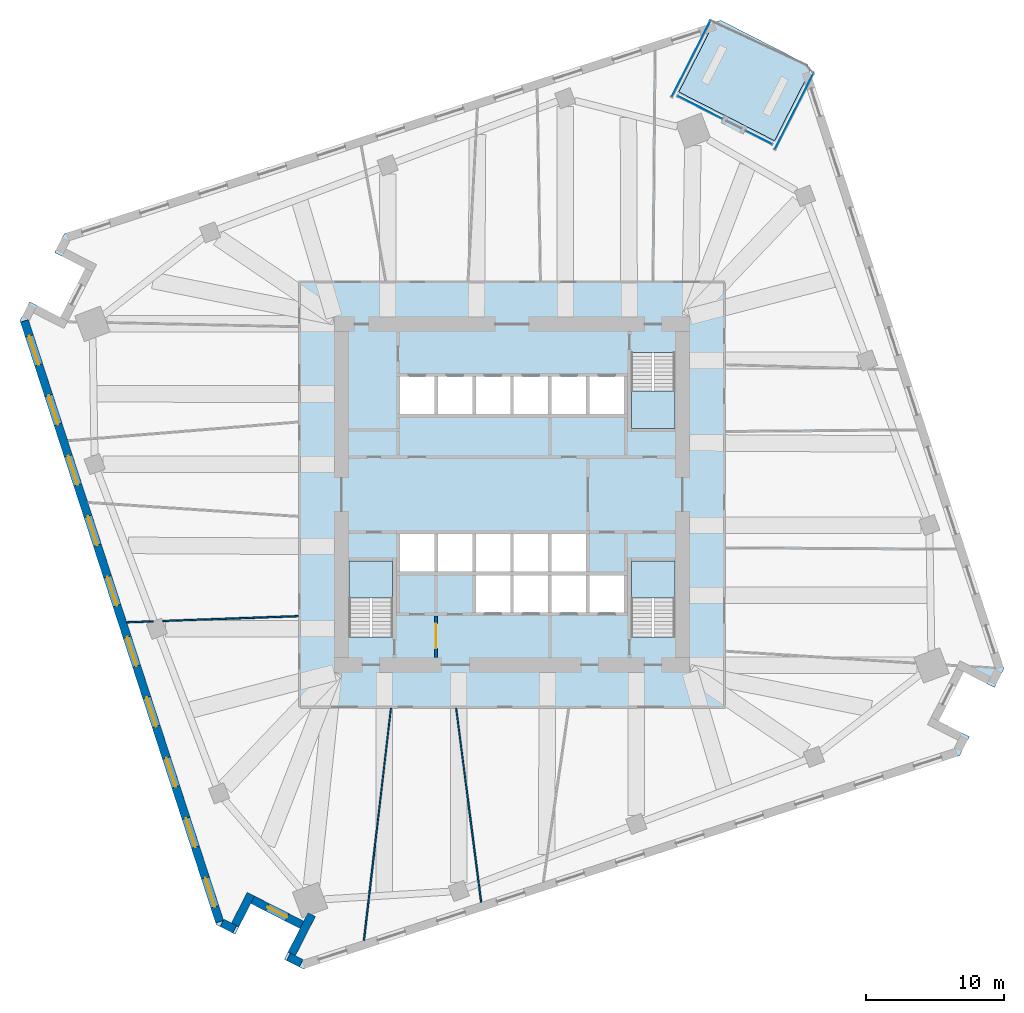
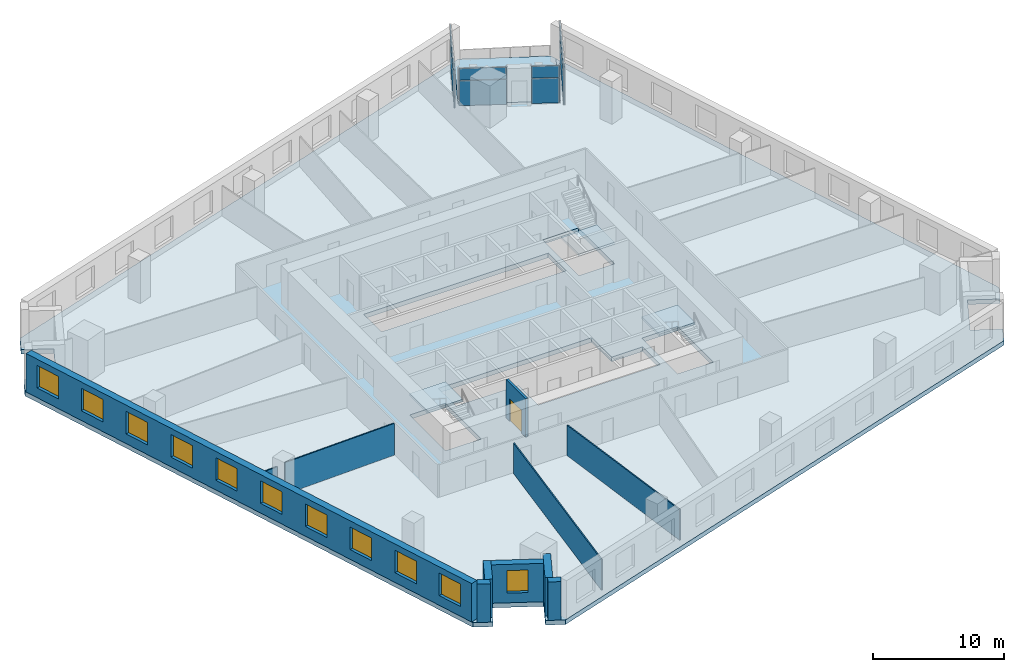
# One storey, part 5 of 12: 11 walls, 11 windows, 8 plates, 5 slabs, 1 door, 12 openings, 7 elements without a shape of their own.
"""IFC4 building model written with IfcOpenShell, lengths in metres."""

from ifc_helpers import new_model, si_unit, direction, frame, frame_2d, origin, origin_2d, place, context, subcontext, project, spatial, polyline, rectangle, outline, extrude, material, layer, layer_set, type_object, element, fill, aggregate, save


model = new_model("IFC4")

# Units and contexts
model_context = context("Model", 3, precision=1e-05, world=origin(), true_north=direction((0.0, 1.0)))
body_context = subcontext(model_context, "Body", "Model", "MODEL_VIEW")
ifc_project = project(units=[si_unit("LENGTHUNIT", "METRE"), si_unit("AREAUNIT", "SQUARE_METRE"), si_unit("VOLUMEUNIT", "CUBIC_METRE"), si_unit("PLANEANGLEUNIT", "RADIAN"), si_unit("MASSUNIT", "GRAM", prefix="KILO")], contexts=[model_context])

# Site, building, storey
site_placement = place(None, origin())
site = spatial("IfcSite", under=ifc_project, at=site_placement, CompositionType="ELEMENT")
building_placement = place(site_placement, origin())
building = spatial("IfcBuilding", under=site, at=building_placement, Name="Dilmun Exchange Tower", CompositionType="ELEMENT")
storey_placement = place(building_placement, frame((0.0, 0.0, 94.10009765625)))
storey = spatial("IfcBuildingStorey", under=building, at=storey_placement, Name="L21", CompositionType="ELEMENT", Elevation=94.10009765625)

# Stair, slab
ifc_material_1 = material(Name="Concrete C40/50", Category="concrete")
stair_type = type_object("IfcStairType", Name="Exit stair 1500 half-turn", PredefinedType="HALF_TURN_STAIR", material=ifc_material_1)
stair_1_placement = place(storey_placement, origin())
stair_1 = element("IfcStair", 1, at=stair_1_placement, inside=storey, type_object=stair_type, Name="L21 Protected exit stair ST1", PredefinedType="HALF_TURN_STAIR")
ifc_layer_1 = layer(ifc_material_1, 0.199951171875)
ifc_layer_set_1 = layer_set([ifc_layer_1], Name="Concrete C40/50")
slab_type_1 = type_object("IfcSlabType", Name="Exit stair landing 200", PredefinedType="LANDING", material=ifc_layer_set_1)
slab_1_placement = place(storey_placement, frame((0.0, 0.0, 1.7998046875)))
slab_1 = element("IfcSlab", 2, at=slab_1_placement, type_object=slab_type_1, Name="ST1 landing 1", PredefinedType="LANDING", context=body_context, shape_type="SweptSolid", body=[
    extrude(outline(polyline([(8.64990234375, 7.5), (8.64990234375, 4.800048828125), (11.800048828125, 4.800048828125), (11.800048828125, 7.5), (8.64990234375, 7.5)])), origin(), (0.0, 0.0, 1.0), 0.2001953125),
])
aggregate(stair_1, [slab_1])

stair_2_placement = place(storey_placement, origin())
stair_2 = element("IfcStair", 3, at=stair_2_placement, inside=storey, type_object=stair_type, Name="L21 Protected exit stair ST2", PredefinedType="HALF_TURN_STAIR")
slab_2_placement = place(storey_placement, frame((0.0, 0.0, 1.7998046875)))
slab_2 = element("IfcSlab", 4, at=slab_2_placement, type_object=slab_type_1, Name="ST2 landing 1", PredefinedType="LANDING", context=body_context, shape_type="SweptSolid", body=[
    extrude(outline(polyline([(-8.64990234375, -7.5), (-8.64990234375, -4.800048828125), (-11.800048828125, -4.800048828125), (-11.800048828125, -7.5), (-8.64990234375, -7.5)])), origin(), (0.0, 0.0, 1.0), 0.2001953125),
])
aggregate(stair_2, [slab_2])

stair_3_placement = place(storey_placement, origin())
stair_3 = element("IfcStair", 5, at=stair_3_placement, inside=storey, type_object=stair_type, Name="L21 Protected exit stair ST3", PredefinedType="HALF_TURN_STAIR")
slab_3_placement = place(storey_placement, frame((0.0, 0.0, 1.7998046875)))
slab_3 = element("IfcSlab", 6, at=slab_3_placement, type_object=slab_type_1, Name="ST3 landing 1", PredefinedType="LANDING", context=body_context, shape_type="SweptSolid", body=[
    extrude(outline(polyline([(11.800048828125, -7.5), (11.800048828125, -4.800048828125), (8.64990234375, -4.800048828125), (8.64990234375, -7.5), (11.800048828125, -7.5)])), origin(), (0.0, 0.0, 1.0), 0.2001953125),
])
aggregate(stair_3, [slab_3])

# Curtain wall, plates
ifc_material_2 = material(Name="Anodised aluminium and clear glass", Category="aluminium")
curtain_wall_type = type_object("IfcCurtainWallType", Name="Garden corner glazing", PredefinedType="NOTDEFINED", material=ifc_material_2)
curtain_wall_1_placement = place(storey_placement, origin())
curtain_wall_1 = element("IfcCurtainWall", 7, at=curtain_wall_1_placement, inside=storey, type_object=curtain_wall_type, Name="Garden corner glazing run GC1.1", PredefinedType="NOTDEFINED")
ifc_material_3 = material(Name="Clear glass", Category="glass")
ifc_layer_2 = layer(ifc_material_3, 0.028076171875)
ifc_layer_set_2 = layer_set([ifc_layer_2], Name="Clear glass")
plate_type = type_object("IfcPlateType", Name="Garden corner glazing glass panel 28", PredefinedType="CURTAIN_PANEL", material=ifc_layer_set_2)
plate_1_placement = place(storey_placement, frame((20.42822265625, 27.750244140625, 0.059814453125), z_axis=(0.0, 0.0, 1.0), x_axis=(-0.453988613418, -0.891007485315, 0.0)))
plate_1 = element("IfcPlate", 8, at=plate_1_placement, type_object=plate_type, Name="GC1.1 panel 1.1", PredefinedType="CURTAIN_PANEL", context=body_context, shape_type="SweptSolid", body=[
    extrude(rectangle(XDim=6.12646484375, YDim=0.028076171875, at=origin_2d()), origin(), (0.0, 0.0, 1.0), 2.31005859375),
])
plate_2_placement = place(storey_placement, frame((20.42822265625, 27.750244140625, 2.4296875), z_axis=(0.0, 0.0, 1.0), x_axis=(-0.453988613418, -0.891007485315, 0.0)))
plate_2 = element("IfcPlate", 9, at=plate_2_placement, type_object=plate_type, Name="GC1.1 panel 1.2", PredefinedType="CURTAIN_PANEL", context=body_context, shape_type="SweptSolid", body=[
    extrude(rectangle(XDim=6.12646484375, YDim=0.028076171875, at=origin_2d()), origin(), (0.0, 0.0, 1.0), 1.090087890625),
])
aggregate(curtain_wall_1, [plate_1, plate_2])

curtain_wall_2_placement = place(storey_placement, origin())
curtain_wall_2 = element("IfcCurtainWall", 10, at=curtain_wall_2_placement, inside=storey, type_object=curtain_wall_type, Name="Garden corner glazing run GC2.1", PredefinedType="NOTDEFINED")
plate_3_placement = place(storey_placement, frame((17.881591796875, 25.879150390625, 0.059814453125), z_axis=(0.0, 0.0, 1.0), x_axis=(-0.891016319837, 0.453971274184, 0.0)))
plate_3 = element("IfcPlate", 11, at=plate_3_placement, type_object=plate_type, Name="GC2.1 panel 1.1", PredefinedType="CURTAIN_PANEL", context=body_context, shape_type="SweptSolid", body=[
    extrude(rectangle(XDim=2.119140625, YDim=0.028076171875, at=origin_2d()), origin(), (0.0, 0.0, 1.0), 2.31005859375),
])
plate_4_placement = place(storey_placement, frame((17.881591796875, 25.879150390625, 2.4296875), z_axis=(0.0, 0.0, 1.0), x_axis=(-0.891016319837, 0.453971274184, 0.0)))
plate_4 = element("IfcPlate", 12, at=plate_4_placement, type_object=plate_type, Name="GC2.1 panel 1.2", PredefinedType="CURTAIN_PANEL", context=body_context, shape_type="SweptSolid", body=[
    extrude(rectangle(XDim=2.119140625, YDim=0.028076171875, at=origin_2d()), origin(), (0.0, 0.0, 1.0), 1.090087890625),
])
aggregate(curtain_wall_2, [plate_3, plate_4])

curtain_wall_3_placement = place(storey_placement, origin())
curtain_wall_3 = element("IfcCurtainWall", 13, at=curtain_wall_3_placement, inside=storey, type_object=curtain_wall_type, Name="Garden corner glazing run GC2.3", PredefinedType="NOTDEFINED")
plate_5_placement = place(storey_placement, frame((13.614501953125, 28.053466796875, 0.059814453125), z_axis=(0.0, 0.0, 1.0), x_axis=(-0.891004797005, 0.453993889512, 0.0)))
plate_5 = element("IfcPlate", 14, at=plate_5_placement, type_object=plate_type, Name="GC2.3 panel 1.1", PredefinedType="CURTAIN_PANEL", context=body_context, shape_type="SweptSolid", body=[
    extrude(rectangle(XDim=3.619140625, YDim=0.028076171875, at=origin_2d()), origin(), (0.0, 0.0, 1.0), 2.31005859375),
])
plate_6_placement = place(storey_placement, frame((13.614501953125, 28.053466796875, 2.4296875), z_axis=(0.0, 0.0, 1.0), x_axis=(-0.891004797005, 0.453993889512, 0.0)))
plate_6 = element("IfcPlate", 15, at=plate_6_placement, type_object=plate_type, Name="GC2.3 panel 1.2", PredefinedType="CURTAIN_PANEL", context=body_context, shape_type="SweptSolid", body=[
    extrude(rectangle(XDim=3.619140625, YDim=0.028076171875, at=origin_2d()), origin(), (0.0, 0.0, 1.0), 1.090087890625),
])
aggregate(curtain_wall_3, [plate_5, plate_6])

curtain_wall_4_placement = place(storey_placement, origin())
curtain_wall_4 = element("IfcCurtainWall", 16, at=curtain_wall_4_placement, inside=storey, type_object=curtain_wall_type, Name="Garden corner glazing run GC3.1", PredefinedType="NOTDEFINED")
plate_7_placement = place(storey_placement, frame((12.963134765625, 31.553955078125, 0.059814453125), z_axis=(0.0, 0.0, 1.0), x_axis=(0.453988613418, 0.891007485315, 0.0)))
plate_7 = element("IfcPlate", 17, at=plate_7_placement, type_object=plate_type, Name="GC3.1 panel 1.1", PredefinedType="CURTAIN_PANEL", context=body_context, shape_type="SweptSolid", body=[
    extrude(rectangle(XDim=6.12646484375, YDim=0.028076171875, at=origin_2d()), origin(), (0.0, 0.0, 1.0), 2.31005859375),
])
plate_8_placement = place(storey_placement, frame((12.963134765625, 31.553955078125, 2.4296875), z_axis=(0.0, 0.0, 1.0), x_axis=(0.453988613418, 0.891007485315, 0.0)))
plate_8 = element("IfcPlate", 18, at=plate_8_placement, type_object=plate_type, Name="GC3.1 panel 1.2", PredefinedType="CURTAIN_PANEL", context=body_context, shape_type="SweptSolid", body=[
    extrude(rectangle(XDim=6.12646484375, YDim=0.028076171875, at=origin_2d()), origin(), (0.0, 0.0, 1.0), 1.090087890625),
])
aggregate(curtain_wall_4, [plate_7, plate_8])

# Slabs
ifc_layer_3 = layer(ifc_material_1, 0.419921875)
ifc_layer_set_3 = layer_set([ifc_layer_3], Name="Concrete C40/50")
slab_type_2 = type_object("IfcSlabType", Name="RC floor slab 420", PredefinedType="FLOOR", material=ifc_layer_set_3)
slab_4_placement = place(storey_placement, frame((0.0, 0.0, -0.420166015625)))
element("IfcSlab", 19, at=slab_4_placement, inside=storey, type_object=slab_type_2, Name="Floor slab", PredefinedType="FLOOR", context=body_context, shape_type="SweptSolid", body=[
    extrude(outline(polyline([(34.94189453125, -13.971923828125), (32.714599609375, -12.8369140625), (30.8984375, -16.40087890625), (33.1259765625, -17.535888671875), (32.428955078125, -18.904296875), (-15.123779296875, -34.35498046875), (-16.4921875, -33.657958984375), (-15.357177734375, -31.430419921875), (-18.921142578125, -29.614501953125), (-20.05615234375, -31.841796875), (-21.42431640625, -31.144775390625), (-35.63916015625, 12.603759765625), (-34.94189453125, 13.971923828125), (-32.714599609375, 12.8369140625), (-30.8984375, 16.40087890625), (-33.1259765625, 17.535888671875), (-32.428955078125, 18.904296875), (14.6484375, 34.200439453125), (12.0849609375, 29.16943359375), (19.015380859375, 25.63818359375), (21.578857421875, 30.669189453125), (35.63916015625, -12.603759765625), (34.94189453125, -13.971923828125)]), holes=[polyline([(-8.64990234375, -4.800048828125), (-11.800048828125, -4.800048828125), (-11.800048828125, -10.294921875), (-8.64990234375, -10.294921875), (-8.64990234375, -4.800048828125)]), polyline([(11.800048828125, -4.800048828125), (8.64990234375, -4.800048828125), (8.64990234375, -10.294921875), (11.800048828125, -10.294921875), (11.800048828125, -4.800048828125)]), polyline([(-8.125, -2.85009765625), (-8.125, -5.550048828125), (-2.625, -5.550048828125), (-2.625, -8.550048828125), (8.125, -8.550048828125), (8.125, -5.85009765625), (5.375, -5.85009765625), (5.375, -2.85009765625), (-8.125, -2.85009765625)]), polyline([(-8.125, 5.85009765625), (8.125, 5.85009765625), (8.125, 8.550048828125), (-8.125, 8.550048828125), (-8.125, 5.85009765625)]), polyline([(8.64990234375, 10.294921875), (8.64990234375, 4.800048828125), (11.800048828125, 4.800048828125), (11.800048828125, 10.294921875), (8.64990234375, 10.294921875)])]), origin(), (0.0, 0.0, 1.0), 0.420166015625),
])
ifc_layer_4 = layer(ifc_material_1, 0.300048828125)
ifc_layer_set_4 = layer_set([ifc_layer_4], Name="Concrete C40/50")
slab_type_3 = type_object("IfcSlabType", Name="RC garden terrace slab 300", PredefinedType="FLOOR", material=ifc_layer_set_4)
slab_5_placement = place(storey_placement, frame((0.0, 0.0, -0.300048828125)))
element("IfcSlab", 20, at=slab_5_placement, inside=storey, type_object=slab_type_3, Name="Garden terrace slab", PredefinedType="FLOOR", context=body_context, shape_type="SweptSolid", body=[
    extrude(outline(polyline([(12.0849609375, 29.16943359375), (14.6484375, 34.200439453125), (15.123779296875, 34.35498046875), (21.42431640625, 31.144775390625), (21.578857421875, 30.669189453125), (19.015380859375, 25.63818359375), (12.0849609375, 29.16943359375)])), origin(), (0.0, 0.0, 1.0), 0.300048828125),
])

# Wall, opening, door
ifc_layer_5 = layer(ifc_material_1, 0.199951171875)
ifc_layer_set_5 = layer_set([ifc_layer_5], Name="Concrete C40/50")
wall_type_1 = type_object("IfcWallType", Name="Core partition wall 200", PredefinedType="PARTITIONING", material=ifc_layer_set_5)
wall_1_placement = place(storey_placement, frame((-5.5, -11.794921875, 0.0), z_axis=(0.0, 0.0, 1.0), x_axis=(0.0, 1.0, 0.0)))
wall_1 = element("IfcWall", 21, at=wall_1_placement, inside=storey, type_object=wall_type_1, Name="L21 core partition wall 01", PredefinedType="PARTITIONING", context=body_context, shape_type="SweptSolid", body=[
    extrude(rectangle(XDim=2.989990234375, YDim=0.199951171875, at=frame_2d((1.4951171875, 0.0))), origin(), (0.0, 0.0, 1.0), 3.579833984375),
])
opening_1_placement = place(wall_1_placement, frame((0.657470703125, 0.0, 0.0)))
opening_1 = element("IfcOpeningElement", 22, at=opening_1_placement, cuts=wall_1, Name="Opening CD5", PredefinedType="OPENING", context=body_context, shape_type="SweptSolid", body=[
    extrude(rectangle(XDim=1.800048828125, YDim=2.10009765625, at=frame_2d((0.89990234375, 1.050048828125))), frame((0.0, 0.10986328125, 0.0), z_axis=(0.0, -1.0, 0.0), x_axis=(1.0, 0.0, 0.0)), (0.0, 0.0, 1.0), 0.219970703125),
])
ifc_material_4 = material(Name="Fire-rated steel door set", Category="steel")
door_type = type_object("IfcDoorType", Name="Stair exit door 1800x2100", OperationType="SINGLE_SWING_LEFT", PredefinedType="DOOR", material=ifc_material_4)
door_placement = place(opening_1_placement, origin())
door = element("IfcDoor", 23, at=door_placement, inside=storey, type_object=door_type, Name="L21 door Service lobby east", OperationType="SINGLE_SWING_LEFT", OverallHeight=2.10009765625, OverallWidth=1.800048828125, PredefinedType="DOOR", context=body_context, shape_type="SweptSolid", body=[
    extrude(rectangle(XDim=1.800048828125, YDim=2.10009765625, at=frame_2d((0.89990234375, 1.050048828125))), frame((0.0, 0.02490234375, 0.0), z_axis=(0.0, -1.0, 0.0), x_axis=(1.0, 0.0, 0.0)), (0.0, 0.0, 1.0), 0.050048828125),
])
fill(opening_1, door)

# Walls
ifc_material_5 = material(Name="Partition 100")
ifc_layer_6 = layer(ifc_material_5, 0.10009765625)
ifc_layer_set_6 = layer_set([ifc_layer_6], Name="Partition 100")
wall_type_2 = type_object("IfcWallType", Name="Partition 100", PredefinedType="PARTITIONING", material=ifc_layer_set_6)
wall_2_placement = place(storey_placement, frame((-27.906005859375, -9.248291015625, 0.0), z_axis=(0.0, 0.0, 1.0), x_axis=(0.999356144168, 0.035878922986, 0.0)))
element("IfcWall", 24, at=wall_2_placement, inside=storey, type_object=wall_type_2, Name="Partition", PredefinedType="PARTITIONING", context=body_context, shape_type="SweptSolid", body=[
    extrude(rectangle(XDim=1.9052734375, YDim=0.10009765625, at=frame_2d((0.95263671875, 0.0))), origin(), (0.0, 0.0, 1.0), 2.829833984375),
])
wall_3_placement = place(storey_placement, frame((-25.297119140625, -9.154541015625, 0.0), z_axis=(0.0, 0.0, 1.0), x_axis=(0.999351792824, 0.035999919148, 0.0)))
element("IfcWall", 25, at=wall_3_placement, inside=storey, type_object=wall_type_2, Name="Partition", PredefinedType="PARTITIONING", context=body_context, shape_type="SweptSolid", body=[
    extrude(rectangle(XDim=9.82666015625, YDim=0.10009765625, at=frame_2d((4.913330078125, 0.0))), origin(), (0.0, 0.0, 1.0), 2.9599609375),
])
wall_4_placement = place(storey_placement, frame((-10.7255859375, -32.29296875, 0.0), z_axis=(0.0, 0.0, 1.0), x_axis=(0.115510456464, 0.993306264174, 0.0)))
element("IfcWall", 26, at=wall_4_placement, inside=storey, type_object=wall_type_2, Name="Partition", PredefinedType="PARTITIONING", context=body_context, shape_type="SweptSolid", body=[
    extrude(rectangle(XDim=16.925537109375, YDim=0.10009765625, at=frame_2d((8.462890625, 0.0))), origin(), (0.0, 0.0, 1.0), 2.829833984375),
])
wall_5_placement = place(storey_placement, frame((-4.04443359375, -15.4814453125, 0.0), z_axis=(0.0, 0.0, 1.0), x_axis=(0.12789369757, -0.991787881617, 0.0)))
element("IfcWall", 27, at=wall_5_placement, inside=storey, type_object=wall_type_2, Name="Partition", PredefinedType="PARTITIONING", context=body_context, shape_type="SweptSolid", body=[
    extrude(rectangle(XDim=14.168212890625, YDim=0.10009765625, at=frame_2d((7.083984375, 0.0))), origin(), (0.0, 0.0, 1.0), 2.829833984375),
])

# Wall, openings, windows
ifc_material_6 = material(Name="Precast concrete C50/60", Category="concrete")
ifc_layer_7 = layer(ifc_material_6, 0.60009765625)
ifc_layer_set_7 = layer_set([ifc_layer_7], Name="Precast concrete C50/60")
wall_type_3 = type_object("IfcWallType", Name="Precast stone-clad wall 600", PredefinedType="STANDARD", material=ifc_layer_set_7)
wall_6_placement = place(storey_placement, frame((-35.3154296875, 12.578369140625, 0.0), z_axis=(0.0, 0.0, 1.0), x_axis=(0.309016329352, -0.951056732374, 0.0)))
wall_6 = element("IfcWall", 28, at=wall_6_placement, inside=storey, type_object=wall_type_3, Name="Facade wall L21-09", PredefinedType="STANDARD", context=body_context, shape_type="SweptSolid", body=[
    extrude(rectangle(XDim=45.75146484375, YDim=0.60009765625, at=frame_2d((22.875732421875, 0.0))), origin(), (0.0, 0.0, 1.0), 3.579833984375),
])
opening_2_placement = place(wall_6_placement, frame((1.137939453125, 0.0, 0.89990234375)))
opening_2 = element("IfcOpeningElement", 29, at=opening_2_placement, cuts=wall_6, Name="Opening W220-210", PredefinedType="OPENING", context=body_context, shape_type="SweptSolid", body=[
    extrude(rectangle(XDim=2.199951171875, YDim=2.10009765625, at=frame_2d((1.10009765625, 1.050048828125))), frame((0.0, 0.31005859375, 0.0), z_axis=(0.0, -1.0, 0.0), x_axis=(1.0, 0.0, 0.0)), (0.0, 0.0, 1.0), 0.6201171875),
])
opening_3_placement = place(wall_6_placement, frame((5.67578125, 0.0, 0.89990234375)))
opening_3 = element("IfcOpeningElement", 30, at=opening_3_placement, cuts=wall_6, Name="Opening W220-210", PredefinedType="OPENING", context=body_context, shape_type="SweptSolid", body=[
    extrude(rectangle(XDim=2.199951171875, YDim=2.10009765625, at=frame_2d((1.10009765625, 1.050048828125))), frame((0.0, 0.31005859375, 0.0), z_axis=(0.0, -1.0, 0.0), x_axis=(1.0, 0.0, 0.0)), (0.0, 0.0, 1.0), 0.6201171875),
])
opening_4_placement = place(wall_6_placement, frame((10.275634765625, 0.0, 0.89990234375)))
opening_4 = element("IfcOpeningElement", 31, at=opening_4_placement, cuts=wall_6, Name="Opening W220-210", PredefinedType="OPENING", context=body_context, shape_type="SweptSolid", body=[
    extrude(rectangle(XDim=2.199951171875, YDim=2.10009765625, at=frame_2d((1.10009765625, 1.050048828125))), frame((0.0, 0.31005859375, 0.0), z_axis=(0.0, -1.0, 0.0), x_axis=(1.0, 0.0, 0.0)), (0.0, 0.0, 1.0), 0.6201171875),
])
opening_5_placement = place(wall_6_placement, frame((14.875732421875, 0.0, 0.89990234375)))
opening_5 = element("IfcOpeningElement", 32, at=opening_5_placement, cuts=wall_6, Name="Opening W220-210", PredefinedType="OPENING", context=body_context, shape_type="SweptSolid", body=[
    extrude(rectangle(XDim=2.199951171875, YDim=2.10009765625, at=frame_2d((1.10009765625, 1.050048828125))), frame((0.0, 0.31005859375, 0.0), z_axis=(0.0, -1.0, 0.0), x_axis=(1.0, 0.0, 0.0)), (0.0, 0.0, 1.0), 0.6201171875),
])
opening_6_placement = place(wall_6_placement, frame((19.4755859375, 0.0, 0.89990234375)))
opening_6 = element("IfcOpeningElement", 33, at=opening_6_placement, cuts=wall_6, Name="Opening W220-210", PredefinedType="OPENING", context=body_context, shape_type="SweptSolid", body=[
    extrude(rectangle(XDim=2.199951171875, YDim=2.10009765625, at=frame_2d((1.10009765625, 1.050048828125))), frame((0.0, 0.31005859375, 0.0), z_axis=(0.0, -1.0, 0.0), x_axis=(1.0, 0.0, 0.0)), (0.0, 0.0, 1.0), 0.6201171875),
])
opening_7_placement = place(wall_6_placement, frame((24.07568359375, 0.0, 0.89990234375)))
opening_7 = element("IfcOpeningElement", 34, at=opening_7_placement, cuts=wall_6, Name="Opening W220-210", PredefinedType="OPENING", context=body_context, shape_type="SweptSolid", body=[
    extrude(rectangle(XDim=2.199951171875, YDim=2.10009765625, at=frame_2d((1.10009765625, 1.050048828125))), frame((0.0, 0.31005859375, 0.0), z_axis=(0.0, -1.0, 0.0), x_axis=(1.0, 0.0, 0.0)), (0.0, 0.0, 1.0), 0.6201171875),
])
opening_8_placement = place(wall_6_placement, frame((28.67578125, 0.0, 0.89990234375)))
opening_8 = element("IfcOpeningElement", 35, at=opening_8_placement, cuts=wall_6, Name="Opening W220-210", PredefinedType="OPENING", context=body_context, shape_type="SweptSolid", body=[
    extrude(rectangle(XDim=2.199951171875, YDim=2.10009765625, at=frame_2d((1.10009765625, 1.050048828125))), frame((0.0, 0.31005859375, 0.0), z_axis=(0.0, -1.0, 0.0), x_axis=(1.0, 0.0, 0.0)), (0.0, 0.0, 1.0), 0.6201171875),
])
opening_9_placement = place(wall_6_placement, frame((33.275634765625, 0.0, 0.89990234375)))
opening_9 = element("IfcOpeningElement", 36, at=opening_9_placement, cuts=wall_6, Name="Opening W220-210", PredefinedType="OPENING", context=body_context, shape_type="SweptSolid", body=[
    extrude(rectangle(XDim=2.199951171875, YDim=2.10009765625, at=frame_2d((1.10009765625, 1.050048828125))), frame((0.0, 0.31005859375, 0.0), z_axis=(0.0, -1.0, 0.0), x_axis=(1.0, 0.0, 0.0)), (0.0, 0.0, 1.0), 0.6201171875),
])
opening_10_placement = place(wall_6_placement, frame((37.875732421875, 0.0, 0.89990234375)))
opening_10 = element("IfcOpeningElement", 37, at=opening_10_placement, cuts=wall_6, Name="Opening W220-210", PredefinedType="OPENING", context=body_context, shape_type="SweptSolid", body=[
    extrude(rectangle(XDim=2.199951171875, YDim=2.10009765625, at=frame_2d((1.10009765625, 1.050048828125))), frame((0.0, 0.31005859375, 0.0), z_axis=(0.0, -1.0, 0.0), x_axis=(1.0, 0.0, 0.0)), (0.0, 0.0, 1.0), 0.6201171875),
])
opening_11_placement = place(wall_6_placement, frame((42.41357421875, 0.0, 0.89990234375)))
opening_11 = element("IfcOpeningElement", 38, at=opening_11_placement, cuts=wall_6, Name="Opening W220-210", PredefinedType="OPENING", context=body_context, shape_type="SweptSolid", body=[
    extrude(rectangle(XDim=2.199951171875, YDim=2.10009765625, at=frame_2d((1.10009765625, 1.050048828125))), frame((0.0, 0.31005859375, 0.0), z_axis=(0.0, -1.0, 0.0), x_axis=(1.0, 0.0, 0.0)), (0.0, 0.0, 1.0), 0.6201171875),
])
ifc_material_7 = material(Name="Clear low-emissivity glass in aluminium frame", Category="aluminium")
window_type_1 = type_object("IfcWindowType", Name="Punched window 2200 x 2100", PartitioningType="DOUBLE_PANEL_VERTICAL", PredefinedType="WINDOW", material=ifc_material_7)
window_1_placement = place(opening_2_placement, origin())
window_1 = element("IfcWindow", 39, at=window_1_placement, inside=storey, type_object=window_type_1, Name="Window 10.1", OverallHeight=2.10009765625, OverallWidth=2.199951171875, PartitioningType="SINGLE_PANEL", PredefinedType="WINDOW", context=body_context, shape_type="SweptSolid", body=[
    extrude(rectangle(XDim=2.199951171875, YDim=2.10009765625, at=frame_2d((1.10009765625, 1.050048828125))), frame((0.0, 0.030029296875, 0.0), z_axis=(0.0, -1.0, 0.0), x_axis=(1.0, 0.0, 0.0)), (0.0, 0.0, 1.0), 0.06005859375),
])
fill(opening_2, window_1)
window_2_placement = place(opening_3_placement, origin())
window_2 = element("IfcWindow", 40, at=window_2_placement, inside=storey, type_object=window_type_1, Name="Window 10.2", OverallHeight=2.10009765625, OverallWidth=2.199951171875, PartitioningType="SINGLE_PANEL", PredefinedType="WINDOW", context=body_context, shape_type="SweptSolid", body=[
    extrude(rectangle(XDim=2.199951171875, YDim=2.10009765625, at=frame_2d((1.10009765625, 1.050048828125))), frame((0.0, 0.030029296875, 0.0), z_axis=(0.0, -1.0, 0.0), x_axis=(1.0, 0.0, 0.0)), (0.0, 0.0, 1.0), 0.06005859375),
])
fill(opening_3, window_2)
window_3_placement = place(opening_4_placement, origin())
window_3 = element("IfcWindow", 41, at=window_3_placement, inside=storey, type_object=window_type_1, Name="Window 10.3", OverallHeight=2.10009765625, OverallWidth=2.199951171875, PartitioningType="SINGLE_PANEL", PredefinedType="WINDOW", context=body_context, shape_type="SweptSolid", body=[
    extrude(rectangle(XDim=2.199951171875, YDim=2.10009765625, at=frame_2d((1.10009765625, 1.050048828125))), frame((0.0, 0.030029296875, 0.0), z_axis=(0.0, -1.0, 0.0), x_axis=(1.0, 0.0, 0.0)), (0.0, 0.0, 1.0), 0.06005859375),
])
fill(opening_4, window_3)
window_4_placement = place(opening_5_placement, origin())
window_4 = element("IfcWindow", 42, at=window_4_placement, inside=storey, type_object=window_type_1, Name="Window 10.4", OverallHeight=2.10009765625, OverallWidth=2.199951171875, PartitioningType="SINGLE_PANEL", PredefinedType="WINDOW", context=body_context, shape_type="SweptSolid", body=[
    extrude(rectangle(XDim=2.199951171875, YDim=2.10009765625, at=frame_2d((1.10009765625, 1.050048828125))), frame((0.0, 0.030029296875, 0.0), z_axis=(0.0, -1.0, 0.0), x_axis=(1.0, 0.0, 0.0)), (0.0, 0.0, 1.0), 0.06005859375),
])
fill(opening_5, window_4)
window_5_placement = place(opening_6_placement, origin())
window_5 = element("IfcWindow", 43, at=window_5_placement, inside=storey, type_object=window_type_1, Name="Window 10.5", OverallHeight=2.10009765625, OverallWidth=2.199951171875, PartitioningType="SINGLE_PANEL", PredefinedType="WINDOW", context=body_context, shape_type="SweptSolid", body=[
    extrude(rectangle(XDim=2.199951171875, YDim=2.10009765625, at=frame_2d((1.10009765625, 1.050048828125))), frame((0.0, 0.030029296875, 0.0), z_axis=(0.0, -1.0, 0.0), x_axis=(1.0, 0.0, 0.0)), (0.0, 0.0, 1.0), 0.06005859375),
])
fill(opening_6, window_5)
window_6_placement = place(opening_7_placement, origin())
window_6 = element("IfcWindow", 44, at=window_6_placement, inside=storey, type_object=window_type_1, Name="Window 10.6", OverallHeight=2.10009765625, OverallWidth=2.199951171875, PartitioningType="SINGLE_PANEL", PredefinedType="WINDOW", context=body_context, shape_type="SweptSolid", body=[
    extrude(rectangle(XDim=2.199951171875, YDim=2.10009765625, at=frame_2d((1.10009765625, 1.050048828125))), frame((0.0, 0.030029296875, 0.0), z_axis=(0.0, -1.0, 0.0), x_axis=(1.0, 0.0, 0.0)), (0.0, 0.0, 1.0), 0.06005859375),
])
fill(opening_7, window_6)
window_7_placement = place(opening_8_placement, origin())
window_7 = element("IfcWindow", 45, at=window_7_placement, inside=storey, type_object=window_type_1, Name="Window 10.7", OverallHeight=2.10009765625, OverallWidth=2.199951171875, PartitioningType="SINGLE_PANEL", PredefinedType="WINDOW", context=body_context, shape_type="SweptSolid", body=[
    extrude(rectangle(XDim=2.199951171875, YDim=2.10009765625, at=frame_2d((1.10009765625, 1.050048828125))), frame((0.0, 0.030029296875, 0.0), z_axis=(0.0, -1.0, 0.0), x_axis=(1.0, 0.0, 0.0)), (0.0, 0.0, 1.0), 0.06005859375),
])
fill(opening_8, window_7)
window_8_placement = place(opening_9_placement, origin())
window_8 = element("IfcWindow", 46, at=window_8_placement, inside=storey, type_object=window_type_1, Name="Window 10.8", OverallHeight=2.10009765625, OverallWidth=2.199951171875, PartitioningType="SINGLE_PANEL", PredefinedType="WINDOW", context=body_context, shape_type="SweptSolid", body=[
    extrude(rectangle(XDim=2.199951171875, YDim=2.10009765625, at=frame_2d((1.10009765625, 1.050048828125))), frame((0.0, 0.030029296875, 0.0), z_axis=(0.0, -1.0, 0.0), x_axis=(1.0, 0.0, 0.0)), (0.0, 0.0, 1.0), 0.06005859375),
])
fill(opening_9, window_8)
window_9_placement = place(opening_10_placement, origin())
window_9 = element("IfcWindow", 47, at=window_9_placement, inside=storey, type_object=window_type_1, Name="Window 10.9", OverallHeight=2.10009765625, OverallWidth=2.199951171875, PartitioningType="SINGLE_PANEL", PredefinedType="WINDOW", context=body_context, shape_type="SweptSolid", body=[
    extrude(rectangle(XDim=2.199951171875, YDim=2.10009765625, at=frame_2d((1.10009765625, 1.050048828125))), frame((0.0, 0.030029296875, 0.0), z_axis=(0.0, -1.0, 0.0), x_axis=(1.0, 0.0, 0.0)), (0.0, 0.0, 1.0), 0.06005859375),
])
fill(opening_10, window_9)
window_10_placement = place(opening_11_placement, origin())
window_10 = element("IfcWindow", 48, at=window_10_placement, inside=storey, type_object=window_type_1, Name="Window 10.10", OverallHeight=2.10009765625, OverallWidth=2.199951171875, PartitioningType="SINGLE_PANEL", PredefinedType="WINDOW", context=body_context, shape_type="SweptSolid", body=[
    extrude(rectangle(XDim=2.199951171875, YDim=2.10009765625, at=frame_2d((1.10009765625, 1.050048828125))), frame((0.0, 0.030029296875, 0.0), z_axis=(0.0, -1.0, 0.0), x_axis=(1.0, 0.0, 0.0)), (0.0, 0.0, 1.0), 0.06005859375),
])
fill(opening_11, window_10)

# Walls
wall_7_placement = place(storey_placement, frame((-20.999267578125, -31.024658203125, 0.0), z_axis=(0.0, 0.0, 1.0), x_axis=(0.890973169717, -0.454055955632, 0.0)))
element("IfcWall", 49, at=wall_7_placement, inside=storey, type_object=wall_type_3, Name="Facade wall L21-10", PredefinedType="STANDARD", context=body_context, shape_type="SweptSolid", body=[
    extrude(rectangle(XDim=1.011474609375, YDim=0.60009765625, at=frame_2d((0.505859375, 0.0))), origin(), (0.0, 0.0, 1.0), 3.579833984375),
])
wall_8_placement = place(storey_placement, frame((-20.051025390625, -31.171142578125, 0.0), z_axis=(0.0, 0.0, 1.0), x_axis=(0.453997461601, 0.891002976909, 0.0)))
element("IfcWall", 50, at=wall_8_placement, inside=storey, type_object=wall_type_3, Name="Facade wall L21-11", PredefinedType="STANDARD", context=body_context, shape_type="SweptSolid", body=[
    extrude(rectangle(XDim=2.5, YDim=0.60009765625, at=frame_2d((1.25, 0.0))), origin(), (0.0, 0.0, 1.0), 3.579833984375),
])

# Wall, opening, window
wall_9_placement = place(storey_placement, frame((-18.784912109375, -29.34716796875, 0.0), z_axis=(0.0, 0.0, 1.0), x_axis=(0.891007820683, -0.453987955216, 0.0)))
wall_9 = element("IfcWall", 51, at=wall_9_placement, inside=storey, type_object=wall_type_3, Name="Facade wall L21-12", PredefinedType="STANDARD", context=body_context, shape_type="SweptSolid", body=[
    extrude(rectangle(XDim=4.0, YDim=0.60009765625, at=frame_2d((2.0, 0.0))), origin(), (0.0, 0.0, 1.0), 3.579833984375),
])
opening_12_placement = place(wall_9_placement, frame((1.199951171875, 0.0, 0.89990234375)))
opening_12 = element("IfcOpeningElement", 52, at=opening_12_placement, cuts=wall_9, Name="Opening W160-210", PredefinedType="OPENING", context=body_context, shape_type="SweptSolid", body=[
    extrude(rectangle(XDim=1.60009765625, YDim=2.10009765625, at=frame_2d((0.800048828125, 1.050048828125))), frame((0.0, 0.31005859375, 0.0), z_axis=(0.0, -1.0, 0.0), x_axis=(1.0, 0.0, 0.0)), (0.0, 0.0, 1.0), 0.6201171875),
])
window_type_2 = type_object("IfcWindowType", Name="Punched window 1600 x 2100", PartitioningType="DOUBLE_PANEL_VERTICAL", PredefinedType="WINDOW", material=ifc_material_7)
window_11_placement = place(opening_12_placement, origin())
window_11 = element("IfcWindow", 53, at=window_11_placement, inside=storey, type_object=window_type_2, Name="Window 13.1", OverallHeight=2.10009765625, OverallWidth=1.60009765625, PartitioningType="SINGLE_PANEL", PredefinedType="WINDOW", context=body_context, shape_type="SweptSolid", body=[
    extrude(rectangle(XDim=1.60009765625, YDim=2.10009765625, at=frame_2d((0.800048828125, 1.050048828125))), frame((0.0, 0.030029296875, 0.0), z_axis=(0.0, -1.0, 0.0), x_axis=(1.0, 0.0, 0.0)), (0.0, 0.0, 1.0), 0.06005859375),
])
fill(opening_12, window_11)

# Walls
wall_10_placement = place(storey_placement, frame((-14.506103515625, -30.4208984375, 0.0), z_axis=(0.0, 0.0, 1.0), x_axis=(-0.453975143947, -0.891014348189, 0.0)))
element("IfcWall", 54, at=wall_10_placement, inside=storey, type_object=wall_type_3, Name="Facade wall L21-13", PredefinedType="STANDARD", context=body_context, shape_type="SweptSolid", body=[
    extrude(rectangle(XDim=3.185791015625, YDim=0.60009765625, at=frame_2d((1.5927734375, 0.0))), origin(), (0.0, 0.0, 1.0), 3.579833984375),
])
wall_11_placement = place(storey_placement, frame((-16.177734375, -33.4814453125, 0.0), z_axis=(0.0, 0.0, 1.0), x_axis=(0.89107081483, -0.453864300157, 0.0)))
element("IfcWall", 55, at=wall_11_placement, inside=storey, type_object=wall_type_3, Name="Facade wall L21-14", PredefinedType="STANDARD", context=body_context, shape_type="SweptSolid", body=[
    extrude(rectangle(XDim=1.01123046875, YDim=0.60009765625, at=frame_2d((0.505615234375, 0.0))), origin(), (0.0, 0.0, 1.0), 3.579833984375),
])

save(model, "model.ifc")
